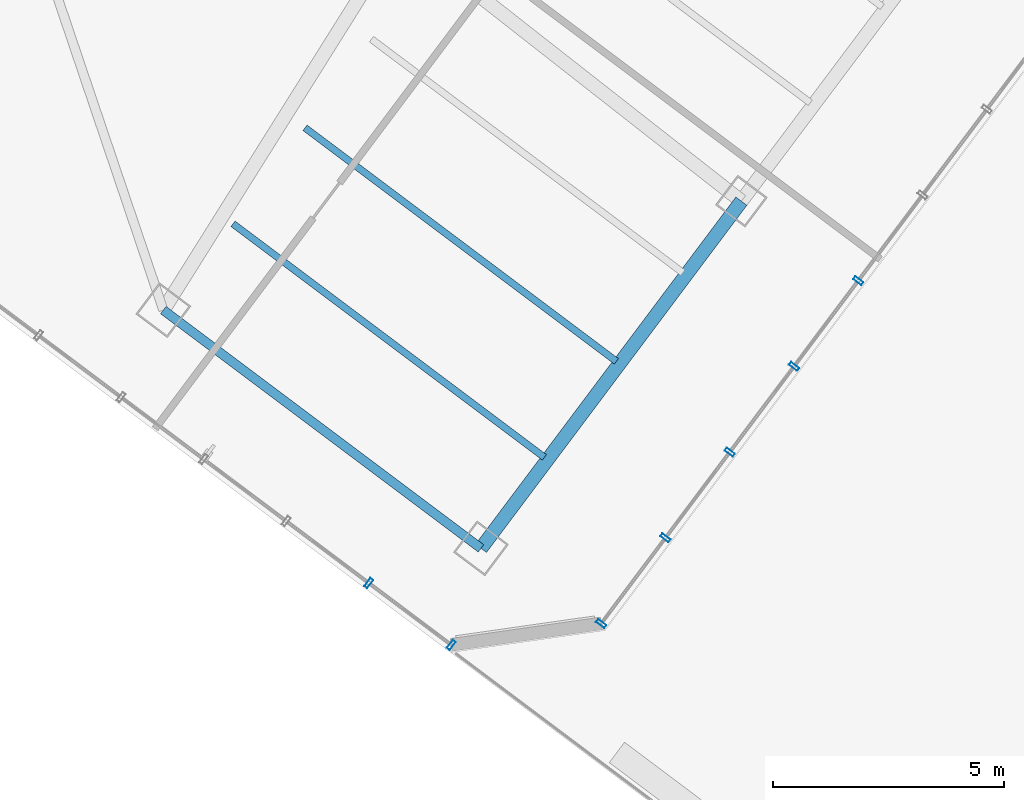
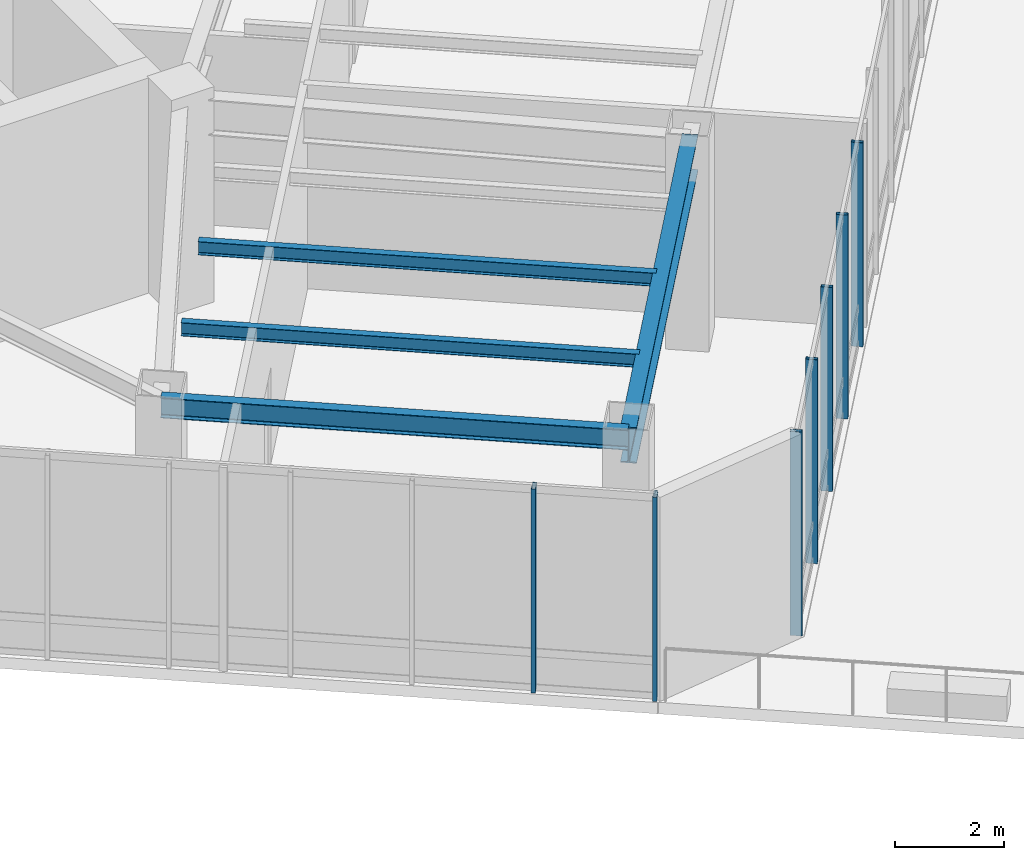
# One storey, part 10 of 30: 7 members, 4 beams, 2 elements without a shape of their own.
"""IFC4 building model written with IfcOpenShell, lengths in metres."""

import ifcopenshell
import ifcopenshell.guid

model = None  # the IFC model being written
_history = None  # IfcOwnerHistory: only IFC2X3 demands one
_inside = {}  # id of a spatial element -> (the spatial element, [elements in it])
_under = {}  # id of a project, library or spatial element -> (it, [spatial elements below it])
_declared = {}  # id of a project -> (the project, [libraries it declares])
_typed = {}  # id of a type object -> (the type object, [elements of that type])
_made_of = {}  # id of a material, layer set ... -> (it, [elements and type objects made of it])


def new_model(schema):
    """Start an empty IFC model of exactly this schema.

    Asked for "IFC4X3", IfcOpenShell would pick the latest addendum, in which some entities
    have other attributes; the version numbers below select the first issue.
    IFC2X3 requires an IfcOwnerHistory on every rooted entity: one is made here for all.
    """
    global model, _history
    if schema == "IFC4X3":
        model = ifcopenshell.file(schema_version=(4, 3, 0, 0))
    else:
        model = ifcopenshell.file(schema=schema)
    _inside.clear()
    _under.clear()
    _declared.clear()
    _typed.clear()
    _made_of.clear()
    _history = None
    if model.schema == "IFC2X3":
        org = make("IfcOrganization", Name="unknown")
        user = make(
            "IfcPersonAndOrganization",
            ThePerson=make("IfcPerson", FamilyName="unknown"),
            TheOrganization=org,
        )
        app = make(
            "IfcApplication",
            ApplicationDeveloper=org,
            Version="unknown",
            ApplicationFullName="unknown",
            ApplicationIdentifier="unknown",
        )
        _history = make(
            "IfcOwnerHistory",
            OwningUser=user,
            OwningApplication=app,
            ChangeAction="ADDED",
            CreationDate=0,
        )
    return model


def make(cls, **values):
    """One entity of the class cls with the attributes given. An attribute that is None is left unset."""
    return model.create_entity(
        cls, **{name: value for name, value in values.items() if value is not None}
    )


def rooted(cls, **values):
    """An entity with a GlobalId (a new one), such as an element, a storey or a relation."""
    return make(cls, GlobalId=ifcopenshell.guid.new(), OwnerHistory=_history, **values)


def si_unit(unit_type, name, prefix=None):
    """IfcSIUnit, for example si_unit("LENGTHUNIT", "METRE", prefix="MILLI")."""
    return make("IfcSIUnit", UnitType=unit_type, Prefix=prefix, Name=name)


def assignment(units):
    """IfcUnitAssignment: the units of a project."""
    return None if units is None else make("IfcUnitAssignment", Units=units)


def point(xyz):
    """IfcCartesianPoint."""
    return None if xyz is None else make("IfcCartesianPoint", Coordinates=xyz)


def direction(xyz):
    """IfcDirection."""
    return None if xyz is None else make("IfcDirection", DirectionRatios=xyz)


def frame(location, z_axis=None, x_axis=None):
    """IfcAxis2Placement3D, a coordinate frame: its origin and axes. An axis left out is left unset."""
    return make(
        "IfcAxis2Placement3D",
        Location=point(location),
        Axis=direction(z_axis),
        RefDirection=direction(x_axis),
    )


def frame_2d(location, x_axis=None):
    """IfcAxis2Placement2D, a coordinate frame in the plane: its origin and x axis."""
    return make(
        "IfcAxis2Placement2D", Location=point(location), RefDirection=direction(x_axis)
    )


def origin():
    """The frame at (0, 0, 0) with its axes left unset."""
    return frame((0.0, 0.0, 0.0))


def origin_2d():
    """The frame at (0, 0) in the plane with its x axis left unset."""
    return frame_2d((0.0, 0.0))


def place(relative_to, where):
    """IfcLocalPlacement: puts the frame where relative to a parent placement (None: the world)."""
    return make(
        "IfcLocalPlacement", PlacementRelTo=relative_to, RelativePlacement=where
    )


def context(
    kind, dimensions, precision=None, world=None, true_north=None, identifier=None
):
    """IfcGeometricRepresentationContext, for example the 3D "Model" context."""
    return make(
        "IfcGeometricRepresentationContext",
        ContextIdentifier=identifier,
        ContextType=kind,
        CoordinateSpaceDimension=dimensions,
        Precision=precision,
        WorldCoordinateSystem=world,
        TrueNorth=true_north,
    )


def subcontext(parent, identifier, kind, view, scale=None):
    """IfcGeometricRepresentationSubContext, for example "Body" below "Model"."""
    return make(
        "IfcGeometricRepresentationSubContext",
        ContextIdentifier=identifier,
        ContextType=kind,
        ParentContext=parent,
        TargetScale=scale,
        TargetView=view,
    )


def project(units=None, contexts=None):
    """IfcProject with its units and contexts."""
    return rooted(
        "IfcProject",
        Name="project",
        RepresentationContexts=contexts,
        UnitsInContext=assignment(units),
    )


def spatial(cls, under=None, at=None, **own):
    """A site, building, storey or space (cls), placed at a placement, below another one or the project."""
    s = rooted(cls, ObjectPlacement=at, **own)
    if under is not None:
        _under.setdefault(under.id(), (under, []))[1].append(s)
    return s


def profile(cls, at=None, kind="AREA", **sizes):
    """A parametric profile (cls). Its sizes go by their IFC names, for example OverallWidth=200.0."""
    return make(cls, ProfileType=kind, Position=at, **sizes)


def hollow_rectangle(**sizes):
    """IfcRectangleHollowProfileDef."""
    return profile("IfcRectangleHollowProfileDef", **sizes)


def i_section(**sizes):
    """IfcIShapeProfileDef."""
    return profile("IfcIShapeProfileDef", **sizes)


def extrude(swept, where, along, depth):
    """IfcExtrudedAreaSolid: the profile swept, set in the frame where, extruded along a direction by depth."""
    return make(
        "IfcExtrudedAreaSolid",
        SweptArea=swept,
        Position=where,
        ExtrudedDirection=direction(along),
        Depth=depth,
    )


def shape(context_of_items, identifier, shape_type, items):
    """IfcShapeRepresentation: the items that make up one representation, for example the "Body"."""
    return make(
        "IfcShapeRepresentation",
        ContextOfItems=context_of_items,
        RepresentationIdentifier=identifier,
        RepresentationType=shape_type,
        Items=items,
    )


def material(Name=None, Category=None):
    """IfcMaterial."""
    return make("IfcMaterial", Name=Name, Category=Category)


def layer(
    of_material, thickness, ventilated=None, Name=None, Category=None, Priority=None
):
    """IfcMaterialLayer: one layer of a wall or slab, of a material (None: an air gap)."""
    return make(
        "IfcMaterialLayer",
        Material=of_material,
        LayerThickness=thickness,
        IsVentilated=ventilated,
        Name=Name,
        Category=Category,
        Priority=Priority,
    )


def layer_set(layers, Name=None):
    """IfcMaterialLayerSet."""
    return make("IfcMaterialLayerSet", MaterialLayers=layers, LayerSetName=Name)


def material_profile(
    of_material, cross_section, Name=None, Category=None, Priority=None
):
    """IfcMaterialProfile: a cross section and its material."""
    return make(
        "IfcMaterialProfile",
        Name=Name,
        Material=of_material,
        Profile=cross_section,
        Priority=Priority,
        Category=Category,
    )


def profile_set(profiles, Name=None, composite=None):
    """IfcMaterialProfileSet."""
    return make(
        "IfcMaterialProfileSet",
        Name=Name,
        MaterialProfiles=profiles,
        CompositeProfile=composite,
    )


def made_of(thing, what):
    """Note that an element or type object is made of a material, layer set ...; save() writes the relation."""
    if what is not None:
        _made_of.setdefault(what.id(), (what, []))[1].append(thing)
    return thing


def type_object(cls, material=None, **own):
    """A type object (cls), such as IfcWallType, which elements share."""
    return made_of(rooted(cls, **own), material)


def element(
    cls,
    number,
    at=None,
    inside=None,
    cuts=None,
    type_object=None,
    material=None,
    context=None,
    identifier="Body",
    shape_type=None,
    held_by="IfcProductDefinitionShape",
    body=None,
    shapes=None,
    **own,
):
    """One element of the class cls, such as IfcWall. Its Tag is "e" and its number.

    at: its placement. inside: the storey or other place that contains it. cuts: it is an
    opening in that element (IfcRelVoidsElement). A single representation is given by context,
    identifier, shape_type and body (its items); several are given by shapes. held_by: the class
    of the entity that holds the representations. save() writes the other relations.
    """
    e = rooted(cls, Tag="e%d" % number, ObjectPlacement=at, **own)
    if body is not None:
        shapes = [shape(context, identifier, shape_type, body)]
    if shapes is not None:
        e.Representation = make(held_by, Representations=shapes)
    if inside is not None:
        _inside.setdefault(inside.id(), (inside, []))[1].append(e)
    if cuts is not None:
        rooted(
            "IfcRelVoidsElement", RelatingBuildingElement=cuts, RelatedOpeningElement=e
        )
    if type_object is not None:
        _typed.setdefault(type_object.id(), (type_object, []))[1].append(e)
    return made_of(e, material)


def aggregate(whole, parts):
    """IfcRelAggregates: a whole, such as a stair, and the parts it consists of."""
    return rooted("IfcRelAggregates", RelatingObject=whole, RelatedObjects=parts)


def save(model, path):
    """Write the relations noted so far, then the file.

    IfcRelAggregates (storeys below a building ...), IfcRelContainedInSpatialStructure (elements
    in a storey), IfcRelDefinesByType, IfcRelAssociatesMaterial and IfcRelDeclares: one each for
    every whole, place, type object, material and project.
    """
    for whole, parts in _under.values():
        aggregate(whole, parts)
    for where, things in _inside.values():
        rooted(
            "IfcRelContainedInSpatialStructure",
            RelatedElements=things,
            RelatingStructure=where,
        )
    for kind, things in _typed.values():
        rooted("IfcRelDefinesByType", RelatedObjects=things, RelatingType=kind)
    for what, things in _made_of.values():
        rooted("IfcRelAssociatesMaterial", RelatedObjects=things, RelatingMaterial=what)
    for by, libraries in _declared.values():
        rooted("IfcRelDeclares", RelatingContext=by, RelatedDefinitions=libraries)
    model.write(path)


model = new_model("IFC4")

# Units and contexts
model_context = context("Model", 3, precision=1e-05, world=origin(), true_north=direction((0.0, 1.0)))
body_context = subcontext(model_context, "Body", "Model", "MODEL_VIEW")
ifc_project = project(units=[si_unit("LENGTHUNIT", "METRE"), si_unit("AREAUNIT", "SQUARE_METRE"), si_unit("VOLUMEUNIT", "CUBIC_METRE"), si_unit("PLANEANGLEUNIT", "RADIAN"), si_unit("MASSUNIT", "GRAM", prefix="KILO")], contexts=[model_context])

# Site, building, storey
site_placement = place(None, origin())
site = spatial("IfcSite", under=ifc_project, at=site_placement, CompositionType="ELEMENT")
building_placement = place(site_placement, origin())
building = spatial("IfcBuilding", under=site, at=building_placement, Name="Hatsunagi Terrace Concourse", CompositionType="ELEMENT")
storey_placement = place(building_placement, frame((0.0, 0.0, 130.050048828125)))
storey = spatial("IfcBuildingStorey", under=building, at=storey_placement, Name="L34", CompositionType="ELEMENT", Elevation=130.050048828125)

# Curtain wall, members
ifc_material_1 = material(Name="Anodised Aluminium Alloy 6063-T5", Category="aluminium")
ifc_layer = layer(ifc_material_1, 0.199951171875)
ifc_layer_set = layer_set([ifc_layer], Name="SkyLobbyAtrium_CW05")
curtain_wall_type = type_object("IfcCurtainWallType", Name="SkyLobbyAtrium_CW05", PredefinedType="NOTDEFINED", material=ifc_layer_set)
curtain_wall_1_placement = place(storey_placement, origin())
curtain_wall_1 = element("IfcCurtainWall", 1, at=curtain_wall_1_placement, inside=storey, type_object=curtain_wall_type, Name="Unitised Curtain Wall CW-05 CW-L34-03", PredefinedType="NOTDEFINED")
ifc_material_2 = material(Name="Anodised Aluminium Alloy 6063-T5", Category="aluminium")
ifc_material_profile_1 = material_profile(ifc_material_2, hollow_rectangle(XDim=0.080078125, YDim=0.219970703125, WallThickness=0.0048828125, at=origin_2d()), Name="ALU-MUL-220x80x5")
ifc_profile_set_1 = profile_set([ifc_material_profile_1], Name="Anodised Aluminium Alloy 6063-T5")
member_type = type_object("IfcMemberType", Name="CurtainWallMullion_Heavy_220x80", PredefinedType="MULLION", material=ifc_profile_set_1)
member_1_placement = place(storey_placement, frame((53.73193359375, 16.676025390625, 0.0), z_axis=(0.0, 0.0, 1.0), x_axis=(-0.599969314634, -0.800023013105, 0.0)))
member_1 = element("IfcMember", 2, at=member_1_placement, type_object=member_type, Name="Curtain Wall Mullion MUL-01", PredefinedType="MULLION", context=body_context, shape_type="SweptSolid", body=[
    extrude(hollow_rectangle(XDim=0.080078125, YDim=0.219970703125, WallThickness=0.0048828125, at=origin_2d()), origin(), (0.0, 0.0, 1.0), 4.550048828125),
])
member_2_placement = place(storey_placement, frame((52.340087890625, 14.819091796875, 0.0), z_axis=(0.0, 0.0, 1.0), x_axis=(-0.599969314634, -0.800023013105, 0.0)))
member_2 = element("IfcMember", 3, at=member_2_placement, type_object=member_type, Name="Curtain Wall Mullion MUL-01", PredefinedType="MULLION", context=body_context, shape_type="SweptSolid", body=[
    extrude(hollow_rectangle(XDim=0.080078125, YDim=0.219970703125, WallThickness=0.0048828125, at=origin_2d()), origin(), (0.0, 0.0, 1.0), 4.550048828125),
])
member_3_placement = place(storey_placement, frame((50.947021484375, 12.962890625, 0.0), z_axis=(0.0, 0.0, 1.0), x_axis=(-0.599969314634, -0.800023013105, 0.0)))
member_3 = element("IfcMember", 4, at=member_3_placement, type_object=member_type, Name="Curtain Wall Mullion MUL-01", PredefinedType="MULLION", context=body_context, shape_type="SweptSolid", body=[
    extrude(hollow_rectangle(XDim=0.080078125, YDim=0.219970703125, WallThickness=0.0048828125, at=origin_2d()), origin(), (0.0, 0.0, 1.0), 4.550048828125),
])
member_4_placement = place(storey_placement, frame((49.554931640625, 11.10595703125, 0.0), z_axis=(0.0, 0.0, 1.0), x_axis=(-0.599969314634, -0.800023013105, 0.0)))
member_4 = element("IfcMember", 5, at=member_4_placement, type_object=member_type, Name="Curtain Wall Mullion MUL-01", PredefinedType="MULLION", context=body_context, shape_type="SweptSolid", body=[
    extrude(hollow_rectangle(XDim=0.080078125, YDim=0.219970703125, WallThickness=0.0048828125, at=origin_2d()), origin(), (0.0, 0.0, 1.0), 4.550048828125),
])
member_5_placement = place(storey_placement, frame((48.1630859375, 9.25, 0.0), z_axis=(0.0, 0.0, 1.0), x_axis=(-0.599969314634, -0.800023013105, 0.0)))
member_5 = element("IfcMember", 6, at=member_5_placement, type_object=member_type, Name="Curtain Wall Mullion MUL-01", PredefinedType="MULLION", context=body_context, shape_type="SweptSolid", body=[
    extrude(hollow_rectangle(XDim=0.080078125, YDim=0.219970703125, WallThickness=0.0048828125, at=origin_2d()), origin(), (0.0, 0.0, 1.0), 4.550048828125),
])
aggregate(curtain_wall_1, [member_1, member_2, member_3, member_4, member_5])

curtain_wall_2_placement = place(storey_placement, origin())
curtain_wall_2 = element("IfcCurtainWall", 7, at=curtain_wall_2_placement, inside=storey, type_object=curtain_wall_type, Name="Unitised Curtain Wall CW-05 CW-L34-05", PredefinedType="NOTDEFINED")
member_6_placement = place(storey_placement, frame((44.91796875, 8.787109375, 0.0), z_axis=(0.0, 0.0, 1.0), x_axis=(-0.800005211305, 0.599993051531, 0.0)))
member_6 = element("IfcMember", 8, at=member_6_placement, type_object=member_type, Name="Curtain Wall Mullion MUL-01", PredefinedType="MULLION", context=body_context, shape_type="SweptSolid", body=[
    extrude(hollow_rectangle(XDim=0.080078125, YDim=0.219970703125, WallThickness=0.0048828125, at=origin_2d()), origin(), (0.0, 0.0, 1.0), 4.550048828125),
])
member_7_placement = place(storey_placement, frame((43.1298828125, 10.1279296875, 0.0), z_axis=(0.0, 0.0, 1.0), x_axis=(-0.800005211305, 0.599993051531, 0.0)))
member_7 = element("IfcMember", 9, at=member_7_placement, type_object=member_type, Name="Curtain Wall Mullion MUL-01", PredefinedType="MULLION", context=body_context, shape_type="SweptSolid", body=[
    extrude(hollow_rectangle(XDim=0.080078125, YDim=0.219970703125, WallThickness=0.0048828125, at=origin_2d()), origin(), (0.0, 0.0, 1.0), 4.550048828125),
])
aggregate(curtain_wall_2, [member_6, member_7])

# Beams
ifc_material_3 = material(Name="Steel SN490B", Category="steel")
ifc_material_profile_2 = material_profile(ifc_material_3, i_section(OverallWidth=0.14990234375, OverallDepth=0.300048828125, WebThickness=0.006591796875, FlangeThickness=0.009033203125, FilletRadius=0.010986328125, at=origin_2d()), Name="H-300x150x6.5x9")
ifc_profile_set_2 = profile_set([ifc_material_profile_2], Name="Steel SN490B")
beam_type_1 = type_object("IfcBeamType", Name="OfficeJoist_H_300x150", PredefinedType="JOIST", material=ifc_profile_set_2)
for number, where, z_axis, x_axis, name in (
    (10, (40.18798828125, 17.908935546875, 4.39990234375), (0.800003475366, -0.59999536615, 0.0), (0.59999536615, 0.800003475366, 0.0), "Beam J-03 J-L34-SE-2-46"),
    (11, (41.748046875, 19.989013671875, 4.39990234375), (0.799989573921, -0.600013901187, 0.0), (0.600013901187, 0.799989573921, 0.0), "Beam J-03 J-L34-SE-2-72"),
):
    element("IfcBeam", number, at=place(storey_placement, frame(where, z_axis=z_axis, x_axis=x_axis)), inside=storey, type_object=beam_type_1, Name=name, PredefinedType="JOIST", context=body_context, shape_type="SweptSolid", body=[
        extrude(i_section(OverallWidth=0.14990234375, OverallDepth=0.300048828125, WebThickness=0.006591796875, FlangeThickness=0.009033203125, FilletRadius=0.010986328125, at=origin_2d()), origin(), (0.0, 0.0, 1.0), 8.429931640625),
    ])
ifc_material_4 = material(Name="Steel SN490B", Category="steel")
ifc_material_profile_3 = material_profile(ifc_material_4, i_section(OverallWidth=0.199951171875, OverallDepth=0.449951171875, WebThickness=0.009033203125, FlangeThickness=0.013916015625, FilletRadius=0.01611328125, at=origin_2d()), Name="H-450x200x9x14")
ifc_profile_set_3 = profile_set([ifc_material_profile_3], Name="Steel SN490B")
beam_type_2 = type_object("IfcBeamType", Name="PerimeterSpandrel_H_450x200", PredefinedType="SPANDREL", material=ifc_profile_set_3)
beam_1_placement = place(storey_placement, frame((38.679931640625, 16.0400390625, 4.324951171875), z_axis=(0.799996593451, -0.600004542038, 0.0), x_axis=(0.600004542038, 0.799996593451, 0.0)))
element("IfcBeam", 12, at=beam_1_placement, inside=storey, type_object=beam_type_2, Name="Beam SP-02 BM-L34-SE-SW2", PredefinedType="SPANDREL", context=body_context, shape_type="SweptSolid", body=[
    extrude(i_section(OverallWidth=0.199951171875, OverallDepth=0.449951171875, WebThickness=0.009033203125, FlangeThickness=0.013916015625, FilletRadius=0.01611328125, at=origin_2d()), origin(), (0.0, 0.0, 1.0), 8.60009765625),
])
ifc_material_5 = material(Name="Steel SN490B", Category="steel")
ifc_material_profile_4 = material_profile(ifc_material_5, i_section(OverallWidth=0.300048828125, OverallDepth=0.800048828125, WebThickness=0.013916015625, FlangeThickness=0.02587890625, FilletRadius=0.02197265625, at=origin_2d()), Name="H-800x300x14x26")
ifc_profile_set_4 = profile_set([ifc_material_profile_4], Name="Steel SN490B")
beam_type_3 = type_object("IfcBeamType", Name="SkyLobbyGirder_H_800x300", PredefinedType="BEAM", material=ifc_profile_set_4)
beam_2_placement = place(storey_placement, frame((45.56005859375, 10.8798828125, 4.14990234375), z_axis=(0.599991688754, 0.800006233367, 0.0), x_axis=(-0.800006233367, 0.599991688754, 0.0)))
element("IfcBeam", 13, at=beam_2_placement, inside=storey, type_object=beam_type_3, Name="Beam G-03 BM-L34-SET-2A", PredefinedType="BEAM", context=body_context, shape_type="SweptSolid", body=[
    extrude(i_section(OverallWidth=0.300048828125, OverallDepth=0.800048828125, WebThickness=0.013916015625, FlangeThickness=0.02587890625, FilletRadius=0.02197265625, at=origin_2d()), origin(), (0.0, 0.0, 1.0), 9.39990234375),
])

save(model, "model.ifc")
